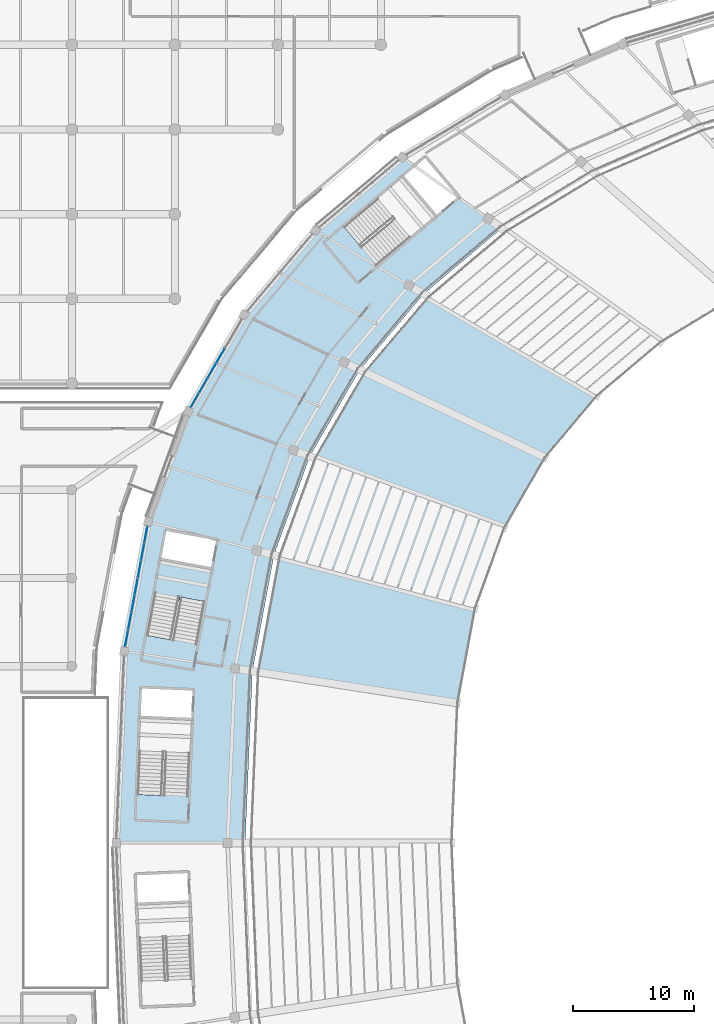
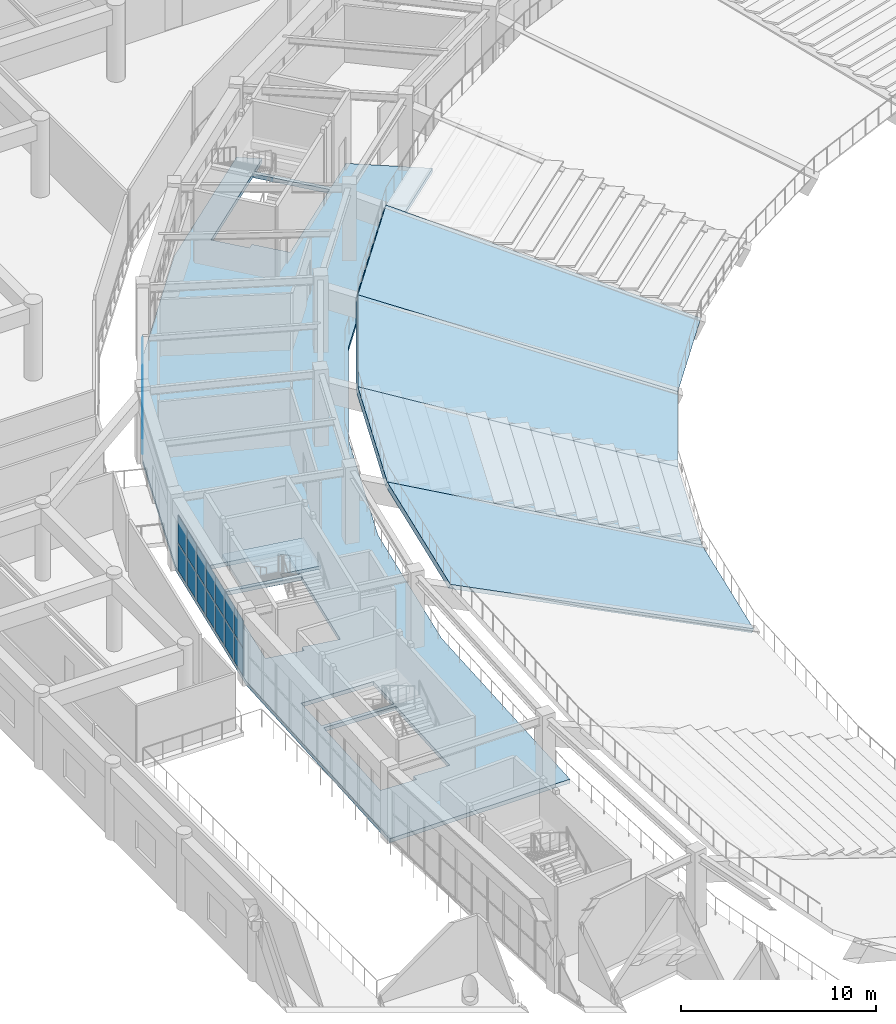
# One storey, part 79 of 137: 22 plates, 6 slabs, 3 elements without a shape of their own.
"""IFC4 building model written with IfcOpenShell, lengths in metres."""

from ifc_helpers import new_model, si_unit, direction, frame, origin, origin_2d, place, context, subcontext, project, spatial, polyline, rectangle, outline, extrude, material, layer, layer_set, type_object, element, aggregate, save


model = new_model("IFC4")

# Units and contexts
model_context = context("Model", 3, precision=1e-05, world=origin(), true_north=direction((0.0, 1.0)))
body_context = subcontext(model_context, "Body", "Model", "MODEL_VIEW")
ifc_project = project(units=[si_unit("LENGTHUNIT", "METRE"), si_unit("AREAUNIT", "SQUARE_METRE"), si_unit("VOLUMEUNIT", "CUBIC_METRE"), si_unit("PLANEANGLEUNIT", "RADIAN"), si_unit("MASSUNIT", "GRAM", prefix="KILO")], contexts=[model_context])

# Site, building, storey
site_placement = place(None, origin())
site = spatial("IfcSite", under=ifc_project, at=site_placement, CompositionType="ELEMENT")
building_placement = place(site_placement, origin())
building = spatial("IfcBuilding", under=site, at=building_placement, Name="Mphavela Belvedere Stadium", CompositionType="ELEMENT")
storey_placement = place(building_placement, frame((0.0, 0.0, 19.199951171875)))
storey = spatial("IfcBuildingStorey", under=building, at=storey_placement, Name="L04", CompositionType="ELEMENT", Elevation=19.199951171875)

# Curtain wall, plates
ifc_material_1 = material(Name="Anodised bronze unitised curtain wall framing")
ifc_layer_1 = layer(ifc_material_1, 0.195068359375)
ifc_layer_set_1 = layer_set([ifc_layer_1], Name="Anodised bronze unitised curtain wall framing")
curtain_wall_type_1 = type_object("IfcCurtainWallType", Name="CW-UNIT-04", PredefinedType="USERDEFINED", material=ifc_layer_set_1)
curtain_wall_1_placement = place(storey_placement, origin())
curtain_wall_1 = element("IfcCurtainWall", 1, at=curtain_wall_1_placement, inside=storey, type_object=curtain_wall_type_1, Name="Belvedere colonnade curtain wall L04-21", ObjectType="UNITISED CURTAIN WALL", PredefinedType="USERDEFINED")
ifc_material_2 = material(Name="Solar-control double glazing", Category="glass")
ifc_layer_2 = layer(ifc_material_2, 0.031982421875)
ifc_layer_set_2 = layer_set([ifc_layer_2], Name="Solar-control double glazing")
plate_type = type_object("IfcPlateType", Name="CWP-SOLAR-GLASS", PredefinedType="CURTAIN_PANEL", material=ifc_layer_set_2)
plate_1_placement = place(storey_placement, frame((20.80615234375, 127.28662109375, 0.06005859375), z_axis=(0.0, 0.0, 1.0), x_axis=(-0.500555998906, -0.865704159606, 0.0)))
plate_1 = element("IfcPlate", 2, at=plate_1_placement, type_object=plate_type, Name="CW-04 panel 3.1", PredefinedType="CURTAIN_PANEL", context=body_context, shape_type="SweptSolid", body=[
    extrude(rectangle(XDim=1.355224609375, YDim=0.031982421875, at=origin_2d()), origin(), (0.0, 0.0, 1.0), 1.695068359375),
])
plate_2_placement = place(storey_placement, frame((20.80615234375, 127.28662109375, 1.81494140625), z_axis=(0.0, 0.0, 1.0), x_axis=(-0.500555998906, -0.865704159606, 0.0)))
plate_2 = element("IfcPlate", 3, at=plate_2_placement, type_object=plate_type, Name="CW-04 panel 3.2", PredefinedType="CURTAIN_PANEL", context=body_context, shape_type="SweptSolid", body=[
    extrude(rectangle(XDim=1.355224609375, YDim=0.031982421875, at=origin_2d()), origin(), (0.0, 0.0, 1.0), 1.695068359375),
])
plate_3_placement = place(storey_placement, frame((20.09521484375, 126.05712890625, 0.06005859375), z_axis=(0.0, 0.0, 1.0), x_axis=(-0.500555998906, -0.865704159606, 0.0)))
plate_3 = element("IfcPlate", 4, at=plate_3_placement, type_object=plate_type, Name="CW-04 panel 4.1", PredefinedType="CURTAIN_PANEL", context=body_context, shape_type="SweptSolid", body=[
    extrude(rectangle(XDim=1.355224609375, YDim=0.031982421875, at=origin_2d()), origin(), (0.0, 0.0, 1.0), 1.695068359375),
])
plate_4_placement = place(storey_placement, frame((20.09521484375, 126.05712890625, 1.81494140625), z_axis=(0.0, 0.0, 1.0), x_axis=(-0.500555998906, -0.865704159606, 0.0)))
plate_4 = element("IfcPlate", 5, at=plate_4_placement, type_object=plate_type, Name="CW-04 panel 4.2", PredefinedType="CURTAIN_PANEL", context=body_context, shape_type="SweptSolid", body=[
    extrude(rectangle(XDim=1.355224609375, YDim=0.031982421875, at=origin_2d()), origin(), (0.0, 0.0, 1.0), 1.695068359375),
])
plate_5_placement = place(storey_placement, frame((19.384521484375, 124.82763671875, 0.06005859375), z_axis=(0.0, 0.0, 1.0), x_axis=(-0.500555998906, -0.865704159606, 0.0)))
plate_5 = element("IfcPlate", 6, at=plate_5_placement, type_object=plate_type, Name="CW-04 panel 5.1", PredefinedType="CURTAIN_PANEL", context=body_context, shape_type="SweptSolid", body=[
    extrude(rectangle(XDim=1.355224609375, YDim=0.031982421875, at=origin_2d()), origin(), (0.0, 0.0, 1.0), 1.695068359375),
])
plate_6_placement = place(storey_placement, frame((19.384521484375, 124.82763671875, 1.81494140625), z_axis=(0.0, 0.0, 1.0), x_axis=(-0.500555998906, -0.865704159606, 0.0)))
plate_6 = element("IfcPlate", 7, at=plate_6_placement, type_object=plate_type, Name="CW-04 panel 5.2", PredefinedType="CURTAIN_PANEL", context=body_context, shape_type="SweptSolid", body=[
    extrude(rectangle(XDim=1.355224609375, YDim=0.031982421875, at=origin_2d()), origin(), (0.0, 0.0, 1.0), 1.695068359375),
])
plate_7_placement = place(storey_placement, frame((18.681640625, 123.6123046875, 0.06005859375), z_axis=(0.0, 0.0, 1.0), x_axis=(-0.500555998906, -0.865704159606, 0.0)))
plate_7 = element("IfcPlate", 8, at=plate_7_placement, type_object=plate_type, Name="CW-04 panel 6.1", PredefinedType="CURTAIN_PANEL", context=body_context, shape_type="SweptSolid", body=[
    extrude(rectangle(XDim=1.32275390625, YDim=0.031982421875, at=origin_2d()), origin(), (0.0, 0.0, 1.0), 1.695068359375),
])
plate_8_placement = place(storey_placement, frame((18.681640625, 123.6123046875, 1.81494140625), z_axis=(0.0, 0.0, 1.0), x_axis=(-0.500555998906, -0.865704159606, 0.0)))
plate_8 = element("IfcPlate", 9, at=plate_8_placement, type_object=plate_type, Name="CW-04 panel 6.2", PredefinedType="CURTAIN_PANEL", context=body_context, shape_type="SweptSolid", body=[
    extrude(rectangle(XDim=1.32275390625, YDim=0.031982421875, at=origin_2d()), origin(), (0.0, 0.0, 1.0), 1.695068359375),
])
aggregate(curtain_wall_1, [plate_1, plate_2, plate_3, plate_4, plate_5, plate_6, plate_7, plate_8])

ifc_material_3 = material(Name="Anodised bronze unitised curtain wall framing")
ifc_layer_3 = layer(ifc_material_3, 0.199951171875)
ifc_layer_set_3 = layer_set([ifc_layer_3], Name="Anodised bronze unitised curtain wall framing")
curtain_wall_type_2 = type_object("IfcCurtainWallType", Name="CW-UNIT-05", PredefinedType="USERDEFINED", material=ifc_layer_set_3)
curtain_wall_2_placement = place(storey_placement, origin())
curtain_wall_2 = element("IfcCurtainWall", 10, at=curtain_wall_2_placement, inside=storey, type_object=curtain_wall_type_2, Name="Belvedere colonnade curtain wall L04-23", ObjectType="UNITISED CURTAIN WALL", PredefinedType="USERDEFINED")
plate_9_placement = place(storey_placement, frame((14.6357421875, 112.48779296875, 0.06005859375), z_axis=(0.0, 0.0, 1.0), x_axis=(-0.182618040183, -0.98318393569, 0.0)))
plate_9 = element("IfcPlate", 11, at=plate_9_placement, type_object=plate_type, Name="CW-05 panel 1.1", PredefinedType="CURTAIN_PANEL", context=body_context, shape_type="SweptSolid", body=[
    extrude(rectangle(XDim=1.3603515625, YDim=0.031982421875, at=origin_2d()), origin(), (0.0, 0.0, 1.0), 1.695068359375),
])
plate_10_placement = place(storey_placement, frame((14.6357421875, 112.48779296875, 1.81494140625), z_axis=(0.0, 0.0, 1.0), x_axis=(-0.182618040183, -0.98318393569, 0.0)))
plate_10 = element("IfcPlate", 12, at=plate_10_placement, type_object=plate_type, Name="CW-05 panel 1.2", PredefinedType="CURTAIN_PANEL", context=body_context, shape_type="SweptSolid", body=[
    extrude(rectangle(XDim=1.3603515625, YDim=0.031982421875, at=origin_2d()), origin(), (0.0, 0.0, 1.0), 1.695068359375),
])
plate_11_placement = place(storey_placement, frame((14.37255859375, 111.0703125, 0.06005859375), z_axis=(0.0, 0.0, 1.0), x_axis=(-0.182618040183, -0.98318393569, 0.0)))
plate_11 = element("IfcPlate", 13, at=plate_11_placement, type_object=plate_type, Name="CW-05 panel 2.1", PredefinedType="CURTAIN_PANEL", context=body_context, shape_type="SweptSolid", body=[
    extrude(rectangle(XDim=1.392822265625, YDim=0.031982421875, at=origin_2d()), origin(), (0.0, 0.0, 1.0), 1.695068359375),
])
plate_12_placement = place(storey_placement, frame((14.37255859375, 111.0703125, 1.81494140625), z_axis=(0.0, 0.0, 1.0), x_axis=(-0.182618040183, -0.98318393569, 0.0)))
plate_12 = element("IfcPlate", 14, at=plate_12_placement, type_object=plate_type, Name="CW-05 panel 2.2", PredefinedType="CURTAIN_PANEL", context=body_context, shape_type="SweptSolid", body=[
    extrude(rectangle(XDim=1.392822265625, YDim=0.031982421875, at=origin_2d()), origin(), (0.0, 0.0, 1.0), 1.695068359375),
])
plate_13_placement = place(storey_placement, frame((14.106201171875, 109.636962890625, 0.06005859375), z_axis=(0.0, 0.0, 1.0), x_axis=(-0.182618040183, -0.98318393569, 0.0)))
plate_13 = element("IfcPlate", 15, at=plate_13_placement, type_object=plate_type, Name="CW-05 panel 3.1", PredefinedType="CURTAIN_PANEL", context=body_context, shape_type="SweptSolid", body=[
    extrude(rectangle(XDim=1.392822265625, YDim=0.031982421875, at=origin_2d()), origin(), (0.0, 0.0, 1.0), 1.695068359375),
])
plate_14_placement = place(storey_placement, frame((14.106201171875, 109.636962890625, 1.81494140625), z_axis=(0.0, 0.0, 1.0), x_axis=(-0.182618040183, -0.98318393569, 0.0)))
plate_14 = element("IfcPlate", 16, at=plate_14_placement, type_object=plate_type, Name="CW-05 panel 3.2", PredefinedType="CURTAIN_PANEL", context=body_context, shape_type="SweptSolid", body=[
    extrude(rectangle(XDim=1.392822265625, YDim=0.031982421875, at=origin_2d()), origin(), (0.0, 0.0, 1.0), 1.695068359375),
])
plate_15_placement = place(storey_placement, frame((13.840087890625, 108.203857421875, 0.06005859375), z_axis=(0.0, 0.0, 1.0), x_axis=(-0.182618040183, -0.98318393569, 0.0)))
plate_15 = element("IfcPlate", 17, at=plate_15_placement, type_object=plate_type, Name="CW-05 panel 4.1", PredefinedType="CURTAIN_PANEL", context=body_context, shape_type="SweptSolid", body=[
    extrude(rectangle(XDim=1.392822265625, YDim=0.031982421875, at=origin_2d()), origin(), (0.0, 0.0, 1.0), 1.695068359375),
])
plate_16_placement = place(storey_placement, frame((13.840087890625, 108.203857421875, 1.81494140625), z_axis=(0.0, 0.0, 1.0), x_axis=(-0.182618040183, -0.98318393569, 0.0)))
plate_16 = element("IfcPlate", 18, at=plate_16_placement, type_object=plate_type, Name="CW-05 panel 4.2", PredefinedType="CURTAIN_PANEL", context=body_context, shape_type="SweptSolid", body=[
    extrude(rectangle(XDim=1.392822265625, YDim=0.031982421875, at=origin_2d()), origin(), (0.0, 0.0, 1.0), 1.695068359375),
])
plate_17_placement = place(storey_placement, frame((13.57373046875, 106.7705078125, 0.06005859375), z_axis=(0.0, 0.0, 1.0), x_axis=(-0.182618040183, -0.98318393569, 0.0)))
plate_17 = element("IfcPlate", 19, at=plate_17_placement, type_object=plate_type, Name="CW-05 panel 5.1", PredefinedType="CURTAIN_PANEL", context=body_context, shape_type="SweptSolid", body=[
    extrude(rectangle(XDim=1.392822265625, YDim=0.031982421875, at=origin_2d()), origin(), (0.0, 0.0, 1.0), 1.695068359375),
])
plate_18_placement = place(storey_placement, frame((13.57373046875, 106.7705078125, 1.81494140625), z_axis=(0.0, 0.0, 1.0), x_axis=(-0.182618040183, -0.98318393569, 0.0)))
plate_18 = element("IfcPlate", 20, at=plate_18_placement, type_object=plate_type, Name="CW-05 panel 5.2", PredefinedType="CURTAIN_PANEL", context=body_context, shape_type="SweptSolid", body=[
    extrude(rectangle(XDim=1.392822265625, YDim=0.031982421875, at=origin_2d()), origin(), (0.0, 0.0, 1.0), 1.695068359375),
])
plate_19_placement = place(storey_placement, frame((13.3076171875, 105.337158203125, 0.06005859375), z_axis=(0.0, 0.0, 1.0), x_axis=(-0.182618040183, -0.98318393569, 0.0)))
plate_19 = element("IfcPlate", 21, at=plate_19_placement, type_object=plate_type, Name="CW-05 panel 6.1", PredefinedType="CURTAIN_PANEL", context=body_context, shape_type="SweptSolid", body=[
    extrude(rectangle(XDim=1.392822265625, YDim=0.031982421875, at=origin_2d()), origin(), (0.0, 0.0, 1.0), 1.695068359375),
])
plate_20_placement = place(storey_placement, frame((13.3076171875, 105.337158203125, 1.81494140625), z_axis=(0.0, 0.0, 1.0), x_axis=(-0.182618040183, -0.98318393569, 0.0)))
plate_20 = element("IfcPlate", 22, at=plate_20_placement, type_object=plate_type, Name="CW-05 panel 6.2", PredefinedType="CURTAIN_PANEL", context=body_context, shape_type="SweptSolid", body=[
    extrude(rectangle(XDim=1.392822265625, YDim=0.031982421875, at=origin_2d()), origin(), (0.0, 0.0, 1.0), 1.695068359375),
])
plate_21_placement = place(storey_placement, frame((13.044189453125, 103.919677734375, 0.06005859375), z_axis=(0.0, 0.0, 1.0), x_axis=(-0.182618040183, -0.98318393569, 0.0)))
plate_21 = element("IfcPlate", 23, at=plate_21_placement, type_object=plate_type, Name="CW-05 panel 7.1", PredefinedType="CURTAIN_PANEL", context=body_context, shape_type="SweptSolid", body=[
    extrude(rectangle(XDim=1.3603515625, YDim=0.031982421875, at=origin_2d()), origin(), (0.0, 0.0, 1.0), 1.695068359375),
])
plate_22_placement = place(storey_placement, frame((13.044189453125, 103.919677734375, 1.81494140625), z_axis=(0.0, 0.0, 1.0), x_axis=(-0.182618040183, -0.98318393569, 0.0)))
plate_22 = element("IfcPlate", 24, at=plate_22_placement, type_object=plate_type, Name="CW-05 panel 7.2", PredefinedType="CURTAIN_PANEL", context=body_context, shape_type="SweptSolid", body=[
    extrude(rectangle(XDim=1.3603515625, YDim=0.031982421875, at=origin_2d()), origin(), (0.0, 0.0, 1.0), 1.695068359375),
])
aggregate(curtain_wall_2, [plate_9, plate_10, plate_11, plate_12, plate_13, plate_14, plate_15, plate_16, plate_17, plate_18, plate_19, plate_20, plate_21, plate_22])

# Slab
ifc_material_4 = material(Name="Concrete C40/50", Category="concrete")
ifc_layer_4 = layer(ifc_material_4, 0.25)
ifc_layer_set_4 = layer_set([ifc_layer_4], Name="Concrete C40/50")
slab_type_1 = type_object("IfcSlabType", Name="SLB-CONCOURSE-250", PredefinedType="FLOOR", material=ifc_layer_set_4)
slab_1_placement = place(storey_placement, frame((0.0, 0.0, -0.25)))
element("IfcSlab", 25, at=slab_1_placement, inside=storey, type_object=slab_type_1, Name="Concourse sector slab L04-S4", PredefinedType="FLOOR", context=body_context, shape_type="SweptSolid", body=[
    extrude(outline(polyline([(22.757568359375, 130.66162109375), (28.66162109375, 137.653564453125), (35.844482421875, 143.714599609375), (36.924560546875, 142.940673828125), (36.0, 142.160400390625), (38.702392578125, 138.958251953125), (40.4296875, 140.415771484375), (40.400634765625, 140.449951171875), (44.05859375, 137.8291015625), (37.621337890625, 132.39697265625), (32.329833984375, 126.130615234375), (28.195068359375, 118.9794921875), (25.229736328125, 110.805908203125), (23.445556640625, 101.20068359375), (22.85009765625, 87.0), (12.179931640625, 87.0), (12.844482421875, 102.844970703125), (14.83544921875, 113.5625), (18.143798828125, 122.682373046875), (22.757568359375, 130.66162109375)]), holes=[polyline([(33.979248046875, 134.97265625), (38.5341796875, 138.81640625), (35.83203125, 142.0185546875), (31.020263671875, 137.9580078125), (32.371337890625, 136.35693359375), (32.628173828125, 136.57373046875), (33.979248046875, 134.97265625)]), polyline([(16.785888671875, 103.780517578125), (16.84716796875, 104.11083984375), (18.906982421875, 103.728515625), (19.9951171875, 109.58837890625), (15.87548828125, 110.353271484375), (14.72607421875, 104.1630859375), (16.785888671875, 103.780517578125)]), polyline([(20.03515625, 109.8046875), (20.44775390625, 112.026611328125), (16.328125, 112.79150390625), (15.91552734375, 110.569580078125), (20.03515625, 109.8046875)]), polyline([(14.200439453125, 97.29345703125), (13.936767578125, 91.0029296875), (16.030029296875, 90.915283203125), (16.044189453125, 91.2509765625), (18.13720703125, 91.1630859375), (18.38671875, 97.117919921875), (14.200439453125, 97.29345703125)]), polyline([(14.30419921875, 99.771240234375), (14.209716796875, 97.51318359375), (18.39599609375, 97.337890625), (18.490478515625, 99.595703125), (14.30419921875, 99.771240234375)])]), origin(), (0.0, 0.0, 1.0), 0.25),
])

# Stair, slab
ifc_material_5 = material(Name="Concrete C40/50", Category="concrete")
stair_type = type_object("IfcStairType", Name="STR-HALF-TURN-3", PredefinedType="HALF_TURN_STAIR", material=ifc_material_5)
stair_placement = place(storey_placement, origin())
stair = element("IfcStair", 26, at=stair_placement, inside=storey, type_object=stair_type, Name="L04 Escape stair core C06", PredefinedType="HALF_TURN_STAIR")
ifc_material_6 = material(Name="Concrete C40/50", Category="concrete")
ifc_layer_5 = layer(ifc_material_6, 0.199951171875)
ifc_layer_set_5 = layer_set([ifc_layer_5], Name="Concrete C40/50")
slab_type_2 = type_object("IfcSlabType", Name="SLB-LANDING-200", PredefinedType="LANDING", material=ifc_layer_set_5)
slab_2_placement = place(storey_placement, frame((0.0, 0.0, 2.199951171875)))
slab_2 = element("IfcSlab", 27, at=slab_2_placement, type_object=slab_type_2, Name="ST-C06 landing 1", PredefinedType="LANDING", context=body_context, shape_type="SweptSolid", body=[
    extrude(outline(polyline([(19.62353515625, 106.930419921875), (20.113037109375, 109.56640625), (15.757568359375, 110.375244140625), (15.203125, 107.39013671875), (17.381103515625, 106.98583984375), (17.44580078125, 107.334716796875), (19.62353515625, 106.930419921875)])), origin(), (0.0, 0.0, 1.0), 0.2001953125),
])
aggregate(stair, [slab_2])

# Slabs
ifc_material_7 = material(Name="Precast concrete C45/55", Category="concrete")
ifc_layer_6 = layer(ifc_material_7, 0.25)
ifc_layer_set_6 = layer_set([ifc_layer_6], Name="Precast concrete C45/55")
slab_type_3 = type_object("IfcSlabType", Name="SLB-TIER-UPPER", PredefinedType="USERDEFINED", material=ifc_layer_set_6)
slab_3_placement = place(storey_placement, frame((51.956787109375, 123.986572265625, -3.75), z_axis=(0.307633638893, -0.259771421762, 0.915358046153), x_axis=(-0.645178517951, -0.764031857939, 5.43307e-06)))
element("IfcSlab", 28, at=slab_3_placement, inside=storey, type_object=slab_type_3, Name="Upper seating tier slab L04-20", ObjectType="SEATING TIER", PredefinedType="USERDEFINED", context=body_context, shape_type="SweptSolid", body=[
    extrude(outline(polyline([(0.0, 0.0), (6.682285561940349, 4.440892098500626e-16), (10.901551314644172, -17.385073862686518), (2.7428417746616116, -17.385274120978465), (0.0, 0.0)])), origin(), (0.0, 0.0, -1.0), 0.25),
])
slab_4_placement = place(storey_placement, frame((47.6455078125, 118.881103515625, -3.75), z_axis=(0.339708917201, -0.196414847885, 0.919792943605), x_axis=(-0.500533096558, -0.865717401482, -4.561319e-06)))
element("IfcSlab", 29, at=slab_4_placement, inside=storey, type_object=slab_type_3, Name="Upper seating tier slab L04-21", ObjectType="SEATING TIER", PredefinedType="USERDEFINED", context=body_context, shape_type="SweptSolid", body=[
    extrude(outline(polyline([(0.0, 0.0), (6.730151721846243, 0.0), (9.567579091327396, -17.838866815507657), (1.3505651741637694, -17.838693069106846), (0.0, 0.0)])), origin(), (0.0, 0.0, -1.0), 0.25),
])
slab_5_placement = place(storey_placement, frame((44.27685546875, 113.0546875, -3.75), z_axis=(0.364303562407, -0.132165132408, 0.921854268414), x_axis=(-0.341054048272, -0.940043688406, 6.732313e-06)))
element("IfcSlab", 30, at=slab_5_placement, inside=storey, type_object=slab_type_3, Name="Upper seating tier slab L04-22", ObjectType="SEATING TIER", PredefinedType="USERDEFINED", context=body_context, shape_type="SweptSolid", body=[
    extrude(outline(polyline([(0.0, 0.0), (7.083911744790468, 0.0), (8.566628638055763, -18.062655749768563), (-0.08220165209820116, -18.06292905996507), (0.0, 0.0)])), origin(), (0.0, 0.0, -1.0), 0.25),
])
slab_6_placement = place(storey_placement, frame((41.86083984375, 106.3955078125, -3.75), z_axis=(0.380667684503, -0.070711468744, 0.922004339558), x_axis=(-0.182626283539, -0.983182404518, -2.545956e-06)))
element("IfcSlab", 31, at=slab_6_placement, inside=storey, type_object=slab_type_3, Name="Upper seating tier slab L04-23", ObjectType="SEATING TIER", PredefinedType="USERDEFINED", context=body_context, shape_type="SweptSolid", body=[
    extrude(outline(polyline([(0.0, 0.0), (7.959542403959617, 0.0), (8.455993573937421, -18.07952323719644), (-1.2621508754165898, -18.079406994979127), (0.0, 0.0)])), origin(), (0.0, 0.0, -1.0), 0.25),
])

save(model, "model.ifc")
